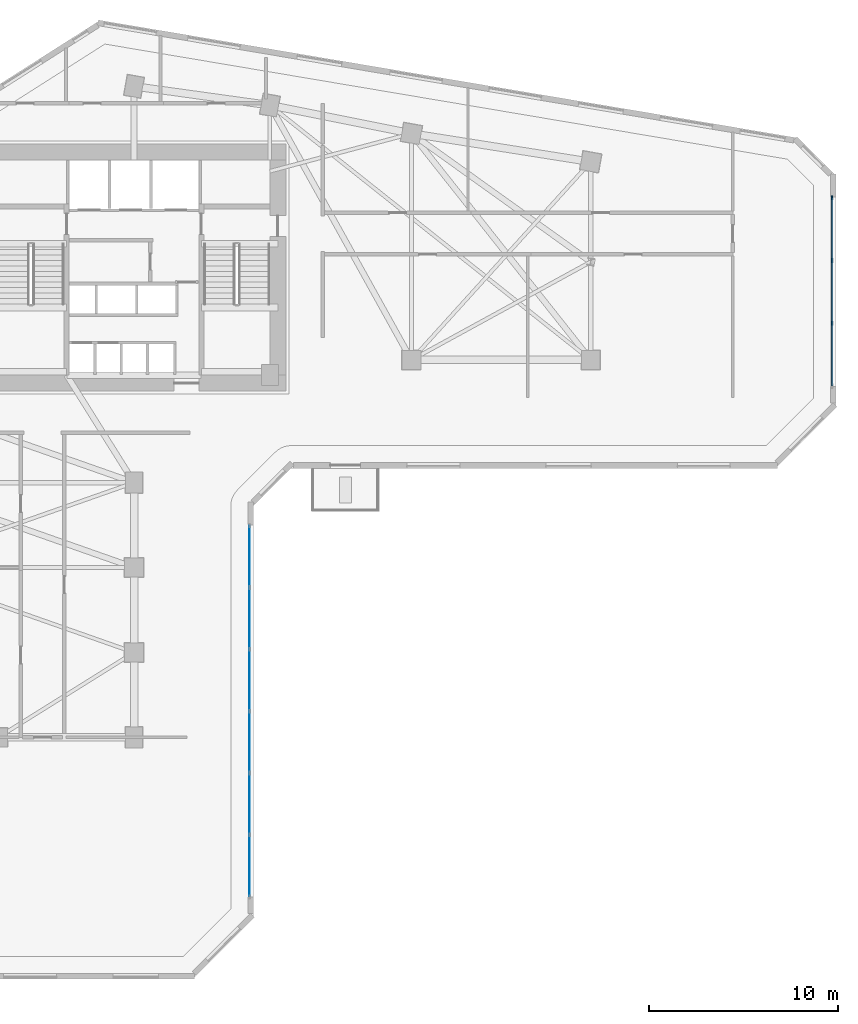
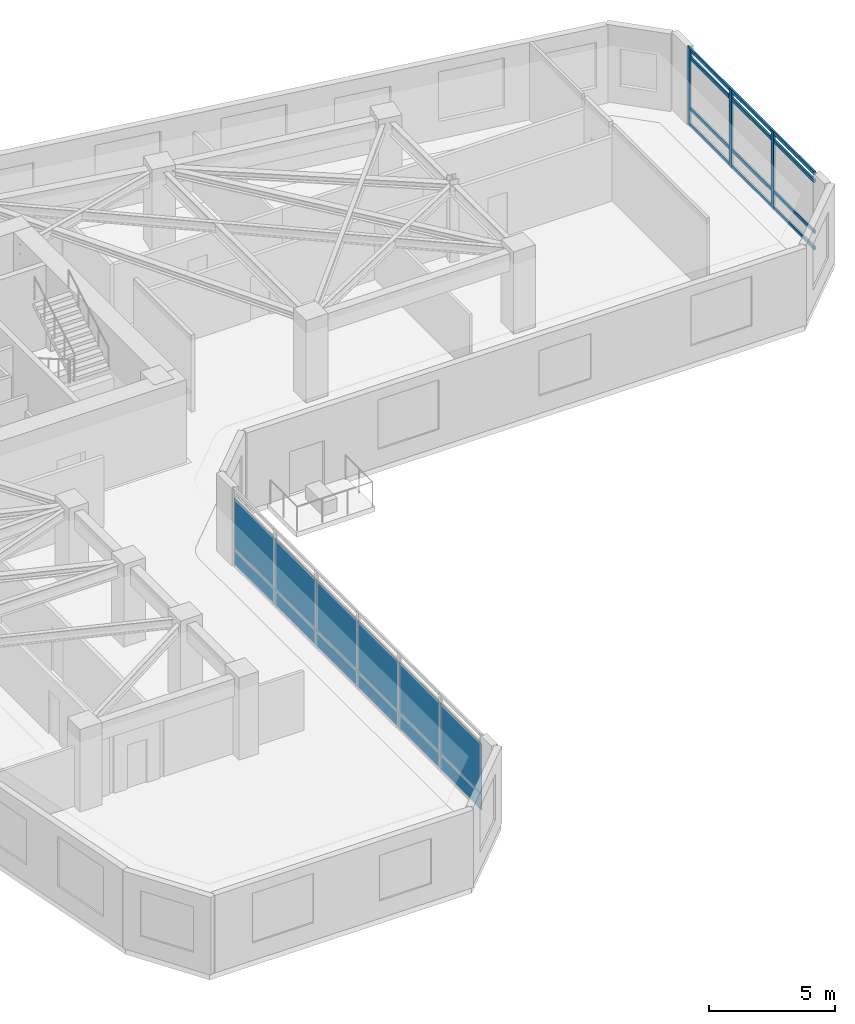
# One storey, part 5 of 11: 12 plates, 7 members, 2 elements without a shape of their own.
"""IFC4 building model written with IfcOpenShell, lengths in metres."""

from ifc_helpers import new_model, si_unit, direction, frame, frame_2d, origin, origin_2d, place, context, subcontext, project, spatial, rectangle, extrude, source, transform, mapped, material, layer, layer_set, material_profile, profile_set, type_object, element, aggregate, save


model = new_model("IFC4")

# Units and contexts
model_context = context("Model", 3, precision=1e-05, world=origin(), true_north=direction((0.0, 1.0)))
body_context = subcontext(model_context, "Body", "Model", "MODEL_VIEW")
ifc_project = project(units=[si_unit("LENGTHUNIT", "METRE"), si_unit("AREAUNIT", "SQUARE_METRE"), si_unit("VOLUMEUNIT", "CUBIC_METRE"), si_unit("PLANEANGLEUNIT", "RADIAN"), si_unit("MASSUNIT", "GRAM", prefix="KILO")], contexts=[model_context])

# Site, building, storey
site_placement = place(None, origin())
site = spatial("IfcSite", under=ifc_project, at=site_placement, CompositionType="ELEMENT")
building_placement = place(site_placement, origin())
building = spatial("IfcBuilding", under=site, at=building_placement, Name="Calvemar Wedge Station Tower", CompositionType="ELEMENT")
storey_placement = place(building_placement, frame((0.0, 0.0, 43.0)))
storey = spatial("IfcBuildingStorey", under=building, at=storey_placement, Name="L10", CompositionType="ELEMENT", Elevation=43.0)

# Curtain wall, members
ifc_material_1 = material(Name="Anodised aluminium 6063-T6", Category="aluminium")
curtain_wall_type = type_object("IfcCurtainWallType", Name="CW1", PredefinedType="NOTDEFINED", material=ifc_material_1)
curtain_wall_1_placement = place(storey_placement, origin())
curtain_wall_1 = element("IfcCurtainWall", 1, at=curtain_wall_1_placement, inside=storey, type_object=curtain_wall_type, Name="Storey L10 CW1 Recessed Unitised Curtain Wall 8", PredefinedType="NOTDEFINED")
ifc_material_profile_1 = material_profile(ifc_material_1, rectangle(XDim=0.080078125, YDim=0.219970703125, at=origin_2d()), Name="AL-MUL-80x220")
ifc_profile_set_1 = profile_set([ifc_material_profile_1], Name="Anodised aluminium 6063-T6")
member_type_1 = type_object("IfcMemberType", Name="CW1-MUL", PredefinedType="MULLION", material=ifc_profile_set_1)
shared_shape_1 = source(origin(), body_context, "Body", "SweptSolid", [
    extrude(rectangle(XDim=0.080078125, YDim=0.219970703125, at=origin_2d()), origin(), (0.0, 0.0, 1.0), 3.800048828125),
])
member_1_placement = place(storey_placement, frame((60.7900390625, 36.947509765625, -0.050048828125), z_axis=(0.0, 0.0, 1.0), x_axis=(1.0, 0.0, 0.0)))
member_1 = element("IfcMember", 2, at=member_1_placement, type_object=member_type_1, Name="CW1 mullion 2", PredefinedType="MULLION", context=body_context, shape_type="MappedRepresentation", body=[
    mapped(shared_shape_1, transform((0.0, 0.0, 0.0), scale=1.0)),
])
member_2_placement = place(storey_placement, frame((60.7900390625, 40.272705078125, -0.050048828125), z_axis=(0.0, 0.0, 1.0), x_axis=(1.0, 0.0, 0.0)))
member_2 = element("IfcMember", 3, at=member_2_placement, type_object=member_type_1, Name="CW1 mullion 3", PredefinedType="MULLION", context=body_context, shape_type="MappedRepresentation", body=[
    mapped(shared_shape_1, transform((0.0, 0.0, 0.0), scale=1.0)),
])
member_3_placement = place(storey_placement, frame((60.7900390625, 43.597900390625, -0.050048828125), z_axis=(0.0, 0.0, 1.0), x_axis=(1.0, 0.0, 0.0)))
member_3 = element("IfcMember", 4, at=member_3_placement, type_object=member_type_1, Name="CW1 mullion 4", PredefinedType="MULLION", context=body_context, shape_type="MappedRepresentation", body=[
    mapped(shared_shape_1, transform((0.0, 0.0, 0.0), scale=1.0)),
])
ifc_material_profile_2 = material_profile(ifc_material_1, rectangle(XDim=0.080078125, YDim=0.159912109375, at=origin_2d()), Name="AL-TRN-80x160")
ifc_profile_set_2 = profile_set([ifc_material_profile_2], Name="Anodised aluminium 6063-T6")
member_type_2 = type_object("IfcMemberType", Name="CW1-TRN", PredefinedType="USERDEFINED", material=ifc_profile_set_2)
shared_shape_2 = source(origin(), body_context, "Body", "SweptSolid", [
    extrude(rectangle(XDim=0.080078125, YDim=0.159912109375, at=origin_2d()), origin(), (0.0, 0.0, 1.0), 9.975830078125),
])
member_4_placement = place(storey_placement, frame((60.7900390625, 33.6220703125, 0.06005859375), z_axis=(0.0, 1.0, 0.0), x_axis=(-1.0, 0.0, 0.0)))
member_4 = element("IfcMember", 5, at=member_4_placement, type_object=member_type_2, Name="CW1 transom 1", ObjectType="TRANSOM", PredefinedType="USERDEFINED", context=body_context, shape_type="MappedRepresentation", body=[
    mapped(shared_shape_2, transform((0.0, 0.0, 0.0), scale=1.0)),
])
member_5_placement = place(storey_placement, frame((60.7900390625, 33.6220703125, 0.85009765625), z_axis=(0.0, 1.0, 0.0), x_axis=(-1.0, 0.0, 0.0)))
member_5 = element("IfcMember", 6, at=member_5_placement, type_object=member_type_2, Name="CW1 transom 2", ObjectType="TRANSOM", PredefinedType="USERDEFINED", context=body_context, shape_type="MappedRepresentation", body=[
    mapped(shared_shape_2, transform((0.0, 0.0, 0.0), scale=1.0)),
])
member_6_placement = place(storey_placement, frame((60.7900390625, 33.6220703125, 3.300048828125), z_axis=(0.0, 1.0, 0.0), x_axis=(-1.0, 0.0, 0.0)))
member_6 = element("IfcMember", 7, at=member_6_placement, type_object=member_type_2, Name="CW1 transom 3", ObjectType="TRANSOM", PredefinedType="USERDEFINED", context=body_context, shape_type="MappedRepresentation", body=[
    mapped(shared_shape_2, transform((0.0, 0.0, 0.0), scale=1.0)),
])
member_7_placement = place(storey_placement, frame((60.7900390625, 33.6220703125, 3.68994140625), z_axis=(0.0, 1.0, 0.0), x_axis=(-1.0, 0.0, 0.0)))
member_7 = element("IfcMember", 8, at=member_7_placement, type_object=member_type_2, Name="CW1 transom 4", ObjectType="TRANSOM", PredefinedType="USERDEFINED", context=body_context, shape_type="MappedRepresentation", body=[
    mapped(shared_shape_2, transform((0.0, 0.0, 0.0), scale=1.0)),
])
aggregate(curtain_wall_1, [member_1, member_2, member_3, member_4, member_5, member_6, member_7])

# Curtain wall, plates
curtain_wall_2_placement = place(storey_placement, origin())
curtain_wall_2 = element("IfcCurtainWall", 9, at=curtain_wall_2_placement, inside=storey, type_object=curtain_wall_type, Name="Storey L10 CW1 Recessed Unitised Curtain Wall 4", PredefinedType="NOTDEFINED")
ifc_material_2 = material(Name="Low-E laminated insulated glass", Category="glass")
ifc_layer_1 = layer(ifc_material_2, 0.028076171875)
ifc_layer_set_1 = layer_set([ifc_layer_1], Name="Low-E laminated insulated glass")
plate_type_1 = type_object("IfcPlateType", Name="CW1-GLZ", PredefinedType="CURTAIN_PANEL", material=ifc_layer_set_1)
plate_1_placement = place(storey_placement, frame((29.91796875, 6.580078125, 0.8701171875), z_axis=(0.0, 0.0, 1.0), x_axis=(0.0, 1.0, 0.0)))
plate_1 = element("IfcPlate", 10, at=plate_1_placement, type_object=plate_type_1, Name="CW1 vision glass panel 1", PredefinedType="CURTAIN_PANEL", context=body_context, shape_type="SweptSolid", body=[
    extrude(rectangle(XDim=3.24072265625, YDim=0.028076171875, at=frame_2d((1.620361328125, 0.0))), origin(), (0.0, 0.0, 1.0), 2.409912109375),
])
plate_2_placement = place(storey_placement, frame((29.91796875, 9.856689453125, 0.8701171875), z_axis=(0.0, 0.0, 1.0), x_axis=(0.0, 1.0, 0.0)))
plate_2 = element("IfcPlate", 11, at=plate_2_placement, type_object=plate_type_1, Name="CW1 vision glass panel 2", PredefinedType="CURTAIN_PANEL", context=body_context, shape_type="SweptSolid", body=[
    extrude(rectangle(XDim=3.24072265625, YDim=0.028076171875, at=frame_2d((1.620361328125, 0.0))), origin(), (0.0, 0.0, 1.0), 2.409912109375),
])
plate_3_placement = place(storey_placement, frame((29.91796875, 13.13330078125, 0.8701171875), z_axis=(0.0, 0.0, 1.0), x_axis=(0.0, 1.0, 0.0)))
plate_3 = element("IfcPlate", 12, at=plate_3_placement, type_object=plate_type_1, Name="CW1 vision glass panel 3", PredefinedType="CURTAIN_PANEL", context=body_context, shape_type="SweptSolid", body=[
    extrude(rectangle(XDim=3.24072265625, YDim=0.028076171875, at=frame_2d((1.620361328125, 0.0))), origin(), (0.0, 0.0, 1.0), 2.409912109375),
])
plate_4_placement = place(storey_placement, frame((29.91796875, 16.41015625, 0.8701171875), z_axis=(0.0, 0.0, 1.0), x_axis=(0.0, 1.0, 0.0)))
plate_4 = element("IfcPlate", 13, at=plate_4_placement, type_object=plate_type_1, Name="CW1 vision glass panel 4", PredefinedType="CURTAIN_PANEL", context=body_context, shape_type="SweptSolid", body=[
    extrude(rectangle(XDim=3.24072265625, YDim=0.028076171875, at=frame_2d((1.620361328125, 0.0))), origin(), (0.0, 0.0, 1.0), 2.409912109375),
])
plate_5_placement = place(storey_placement, frame((29.91796875, 19.686767578125, 0.8701171875), z_axis=(0.0, 0.0, 1.0), x_axis=(0.0, 1.0, 0.0)))
plate_5 = element("IfcPlate", 14, at=plate_5_placement, type_object=plate_type_1, Name="CW1 vision glass panel 5", PredefinedType="CURTAIN_PANEL", context=body_context, shape_type="SweptSolid", body=[
    extrude(rectangle(XDim=3.24072265625, YDim=0.028076171875, at=frame_2d((1.620361328125, 0.0))), origin(), (0.0, 0.0, 1.0), 2.409912109375),
])
plate_6_placement = place(storey_placement, frame((29.91796875, 22.96337890625, 0.8701171875), z_axis=(0.0, 0.0, 1.0), x_axis=(0.0, 1.0, 0.0)))
plate_6 = element("IfcPlate", 15, at=plate_6_placement, type_object=plate_type_1, Name="CW1 vision glass panel 6", PredefinedType="CURTAIN_PANEL", context=body_context, shape_type="SweptSolid", body=[
    extrude(rectangle(XDim=3.24072265625, YDim=0.028076171875, at=frame_2d((1.620361328125, 0.0))), origin(), (0.0, 0.0, 1.0), 2.409912109375),
])
ifc_material_3 = material(Name="Oxidized bronze aluminium spandrel panel 5005-H24", Category="aluminium")
ifc_layer_2 = layer(ifc_material_3, 0.0400390625)
ifc_layer_set_2 = layer_set([ifc_layer_2], Name="Oxidized bronze aluminium spandrel panel 5005-H24")
plate_type_2 = type_object("IfcPlateType", Name="CW1-SPD", PredefinedType="SHEET", material=ifc_layer_set_2)
plate_7_placement = place(storey_placement, frame((29.91796875, 6.580078125, 0.080078125), z_axis=(0.0, 0.0, 1.0), x_axis=(0.0, 1.0, 0.0)))
plate_7 = element("IfcPlate", 16, at=plate_7_placement, type_object=plate_type_2, Name="CW1 bronze spandrel panel 1", PredefinedType="SHEET", context=body_context, shape_type="SweptSolid", body=[
    extrude(rectangle(XDim=3.24072265625, YDim=0.0400390625, at=frame_2d((1.620361328125, 0.0))), origin(), (0.0, 0.0, 1.0), 0.75),
])
plate_8_placement = place(storey_placement, frame((29.91796875, 9.856689453125, 0.080078125), z_axis=(0.0, 0.0, 1.0), x_axis=(0.0, 1.0, 0.0)))
plate_8 = element("IfcPlate", 17, at=plate_8_placement, type_object=plate_type_2, Name="CW1 bronze spandrel panel 2", PredefinedType="SHEET", context=body_context, shape_type="SweptSolid", body=[
    extrude(rectangle(XDim=3.24072265625, YDim=0.0400390625, at=frame_2d((1.620361328125, 0.0))), origin(), (0.0, 0.0, 1.0), 0.75),
])
plate_9_placement = place(storey_placement, frame((29.91796875, 13.13330078125, 0.080078125), z_axis=(0.0, 0.0, 1.0), x_axis=(0.0, 1.0, 0.0)))
plate_9 = element("IfcPlate", 18, at=plate_9_placement, type_object=plate_type_2, Name="CW1 bronze spandrel panel 3", PredefinedType="SHEET", context=body_context, shape_type="SweptSolid", body=[
    extrude(rectangle(XDim=3.24072265625, YDim=0.0400390625, at=frame_2d((1.620361328125, 0.0))), origin(), (0.0, 0.0, 1.0), 0.75),
])
plate_10_placement = place(storey_placement, frame((29.91796875, 16.41015625, 0.080078125), z_axis=(0.0, 0.0, 1.0), x_axis=(0.0, 1.0, 0.0)))
plate_10 = element("IfcPlate", 19, at=plate_10_placement, type_object=plate_type_2, Name="CW1 bronze spandrel panel 4", PredefinedType="SHEET", context=body_context, shape_type="SweptSolid", body=[
    extrude(rectangle(XDim=3.24072265625, YDim=0.0400390625, at=frame_2d((1.620361328125, 0.0))), origin(), (0.0, 0.0, 1.0), 0.75),
])
plate_11_placement = place(storey_placement, frame((29.91796875, 19.686767578125, 0.080078125), z_axis=(0.0, 0.0, 1.0), x_axis=(0.0, 1.0, 0.0)))
plate_11 = element("IfcPlate", 20, at=plate_11_placement, type_object=plate_type_2, Name="CW1 bronze spandrel panel 5", PredefinedType="SHEET", context=body_context, shape_type="SweptSolid", body=[
    extrude(rectangle(XDim=3.24072265625, YDim=0.0400390625, at=frame_2d((1.620361328125, 0.0))), origin(), (0.0, 0.0, 1.0), 0.75),
])
plate_12_placement = place(storey_placement, frame((29.91796875, 22.96337890625, 0.080078125), z_axis=(0.0, 0.0, 1.0), x_axis=(0.0, 1.0, 0.0)))
plate_12 = element("IfcPlate", 21, at=plate_12_placement, type_object=plate_type_2, Name="CW1 bronze spandrel panel 6", PredefinedType="SHEET", context=body_context, shape_type="SweptSolid", body=[
    extrude(rectangle(XDim=3.24072265625, YDim=0.0400390625, at=frame_2d((1.620361328125, 0.0))), origin(), (0.0, 0.0, 1.0), 0.75),
])
aggregate(curtain_wall_2, [plate_7, plate_1, plate_8, plate_2, plate_9, plate_3, plate_10, plate_4, plate_11, plate_5, plate_12, plate_6])

save(model, "model.ifc")
